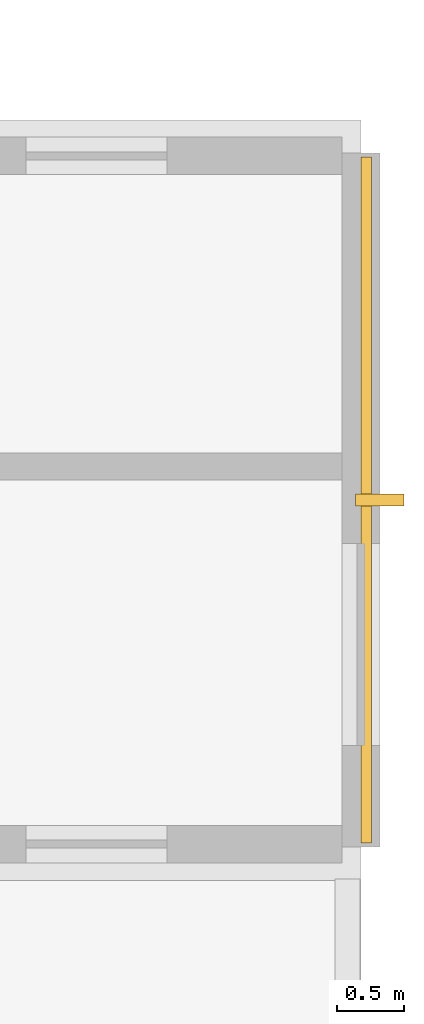
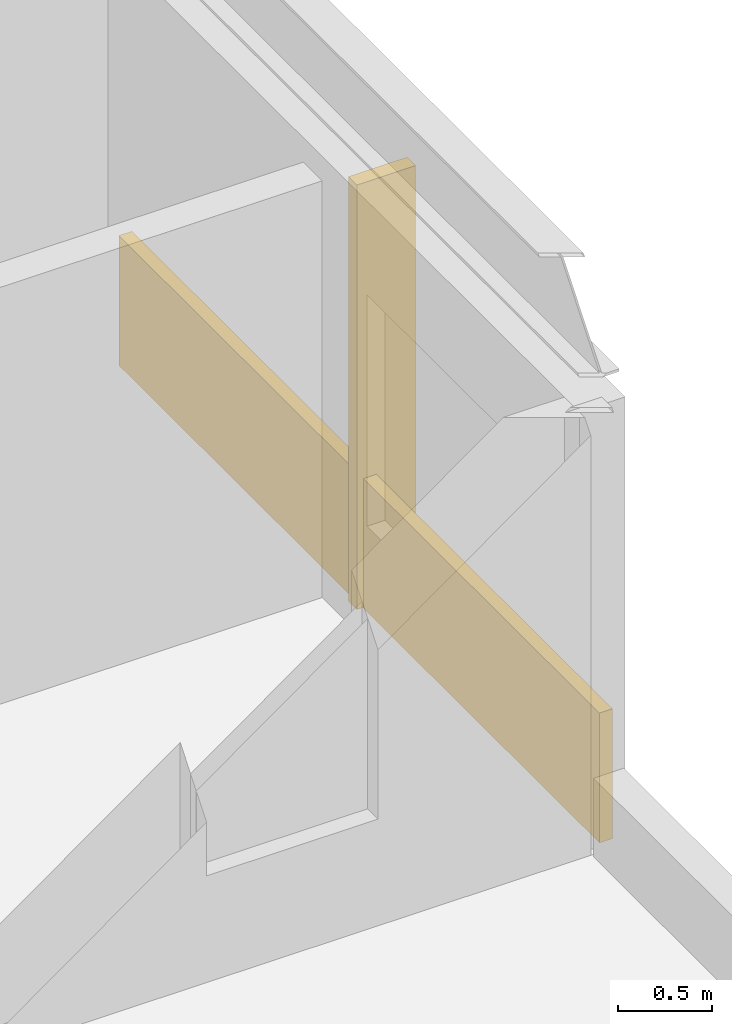
# One storey, part 28 of 29: 1 covering, 1 shading device.
"""IFC4 building model written with IfcOpenShell, lengths in metres."""

from ifc_helpers import new_model, si_unit, direction, frame, origin, origin_2d, place, context, subcontext, project, spatial, rectangle, extrude, material, layer, layer_set, type_object, element, save


model = new_model("IFC4")

# Units and contexts
model_context = context("Model", 3, precision=1e-05, world=origin(), true_north=direction((0.0, 1.0)))
body_context = subcontext(model_context, "Body", "Model", "MODEL_VIEW")
ifc_project = project(units=[si_unit("LENGTHUNIT", "METRE"), si_unit("AREAUNIT", "SQUARE_METRE"), si_unit("VOLUMEUNIT", "CUBIC_METRE"), si_unit("PLANEANGLEUNIT", "RADIAN"), si_unit("MASSUNIT", "GRAM", prefix="KILO")], contexts=[model_context])

# Site, building, storey
site_placement = place(None, origin())
site = spatial("IfcSite", under=ifc_project, at=site_placement, CompositionType="ELEMENT")
building_placement = place(site_placement, origin())
building = spatial("IfcBuilding", under=site, at=building_placement, Name="Surkhivell Harbour Commons", CompositionType="ELEMENT")
storey_placement = place(building_placement, frame((0.0, 0.0, 150.75)))
storey = spatial("IfcBuildingStorey", under=building, at=storey_placement, Name="L39", CompositionType="ELEMENT", Elevation=150.75)

# Covering
ifc_material_1 = material(Name="Saffron-gold enamelled aluminium cassette panel", Category="aluminium")
ifc_layer = layer(ifc_material_1, 0.070068359375)
ifc_layer_set = layer_set([ifc_layer], Name="Saffron-gold enamelled aluminium cassette panel")
covering_type = type_object("IfcCoveringType", Name="COV-CLAD-SAF", PredefinedType="CLADDING", material=ifc_layer_set)
covering_placement = place(storey_placement, frame((25.93994140625, 8.10009765625, 0.0), z_axis=(0.0, 0.0, 1.0), x_axis=(1.0, 0.0, 0.0)))
element("IfcCovering", 1, at=covering_placement, inside=storey, type_object=covering_type, Name="L39 Coloured-Panel Box Spandrel Cassette 01", PredefinedType="CLADDING", context=body_context, shape_type="SweptSolid", body=[
    extrude(rectangle(XDim=0.080078125, YDim=5.10009765625, at=origin_2d()), origin(), (0.0, 0.0, 1.0), 0.840087890625),
])

# Shading device
ifc_material_2 = material(Name="Anodised pale-metal aluminium solar fin", Category="aluminium")
shading_device_type = type_object("IfcShadingDeviceType", Name="SHD-FIN-VERT", PredefinedType="USERDEFINED", material=ifc_material_2)
shading_device_placement = place(storey_placement, frame((26.0400390625, 8.10009765625, 0.0048828125), z_axis=(0.0, 0.0, 1.0), x_axis=(1.0, 0.0, 0.0)))
element("IfcShadingDevice", 2, at=shading_device_placement, inside=storey, type_object=shading_device_type, Name="L39 Coloured-Box Solar Fin 01", ObjectType="FIN", PredefinedType="USERDEFINED", context=body_context, shape_type="SweptSolid", body=[
    extrude(rectangle(XDim=0.360107421875, YDim=0.090087890625, at=origin_2d()), origin(), (0.0, 0.0, 1.0), 2.75),
])

save(model, "model.ifc")
